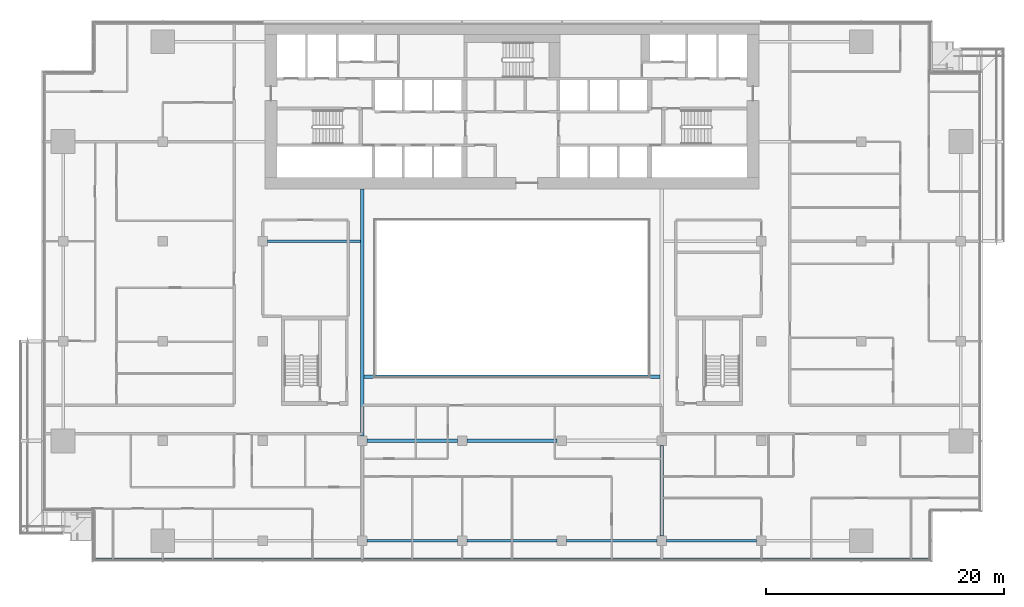
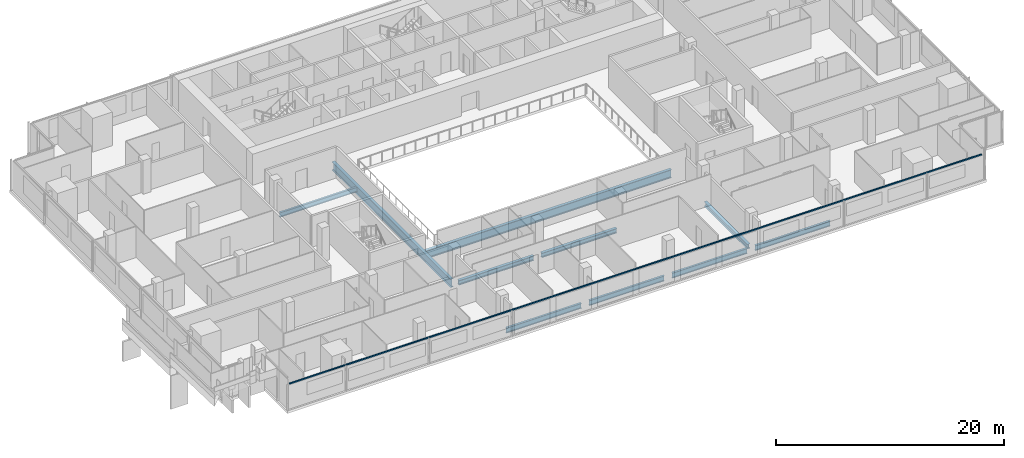
# One storey, part 5 of 27: 10 beams, 1 member, 1 element without a shape of its own.
"""IFC4 building model written with IfcOpenShell, lengths in metres."""

from ifc_helpers import new_model, si_unit, direction, frame, origin, origin_2d, place, context, subcontext, project, spatial, rectangle, i_section, extrude, material, material_profile, profile_set, type_object, element, aggregate, save


model = new_model("IFC4")

# Units and contexts
model_context = context("Model", 3, precision=1e-05, world=origin(), true_north=direction((0.0, 1.0)))
body_context = subcontext(model_context, "Body", "Model", "MODEL_VIEW")
ifc_project = project(units=[si_unit("LENGTHUNIT", "METRE"), si_unit("AREAUNIT", "SQUARE_METRE"), si_unit("VOLUMEUNIT", "CUBIC_METRE"), si_unit("PLANEANGLEUNIT", "RADIAN"), si_unit("MASSUNIT", "GRAM", prefix="KILO")], contexts=[model_context])

# Site, building, storey
site_placement = place(None, origin())
site = spatial("IfcSite", under=ifc_project, at=site_placement, CompositionType="ELEMENT")
building_placement = place(site_placement, origin())
building = spatial("IfcBuilding", under=site, at=building_placement, Name="Saffron Gate Tower", CompositionType="ELEMENT")
storey_placement = place(building_placement, frame((0.0, 0.0, 134.85009765625)))
storey = spatial("IfcBuildingStorey", under=building, at=storey_placement, Name="L32", CompositionType="ELEMENT", Elevation=134.85009765625)

# Beams
ifc_material_1 = material(Name="Structural steel S355", Category="steel")
ifc_material_profile_1 = material_profile(ifc_material_1, i_section(OverallWidth=0.199951171875, OverallDepth=0.5, WebThickness=0.01025390625, FlangeThickness=0.01611328125, FilletRadius=0.02099609375, at=origin_2d()))
ifc_profile_set_1 = profile_set([ifc_material_profile_1], Name="Structural steel S355")
beam_type_1 = type_object("IfcBeamType", Name="B10 IPE 500", PredefinedType="BEAM", material=ifc_profile_set_1)
beam_1_placement = place(storey_placement, frame((67.0, 57.0, -0.530029296875), z_axis=(1.0, 0.0, 0.0), x_axis=(0.0, 1.0, 0.0)))
element("IfcBeam", 1, at=beam_1_placement, inside=storey, type_object=beam_type_1, Name="B10 CORE TIE BEAM", PredefinedType="BEAM", context=body_context, shape_type="SweptSolid", body=[
    extrude(i_section(OverallWidth=0.199951171875, OverallDepth=0.5, WebThickness=0.01025390625, FlangeThickness=0.01611328125, FilletRadius=0.02099609375, at=origin_2d()), origin(), (0.0, 0.0, 1.0), 7.85009765625),
])
ifc_material_profile_2 = material_profile(ifc_material_1, i_section(OverallWidth=0.2099609375, OverallDepth=0.550048828125, WebThickness=0.010986328125, FlangeThickness=0.01708984375, FilletRadius=0.02392578125, at=origin_2d()))
ifc_profile_set_2 = profile_set([ifc_material_profile_2], Name="Structural steel S355")
beam_type_2 = type_object("IfcBeamType", Name="B13 IPE 550", PredefinedType="SPANDREL", material=ifc_profile_set_2)
beam_2_placement = place(storey_placement, frame((75.39990234375, 31.800048828125, -0.55517578125), z_axis=(1.0, 0.0, 0.0), x_axis=(0.0, 1.0, 0.0)))
element("IfcBeam", 2, at=beam_2_placement, inside=storey, type_object=beam_type_2, Name="B13 SPANDREL BEAM", PredefinedType="SPANDREL", context=body_context, shape_type="SweptSolid", body=[
    extrude(i_section(OverallWidth=0.2099609375, OverallDepth=0.550048828125, WebThickness=0.010986328125, FlangeThickness=0.01708984375, FilletRadius=0.02392578125, at=origin_2d()), origin(), (0.0, 0.0, 1.0), 7.60009765625),
])
beam_3_placement = place(storey_placement, frame((83.800048828125, 31.800048828125, -0.55517578125), z_axis=(1.0, 0.0, 0.0), x_axis=(0.0, 1.0, 0.0)))
element("IfcBeam", 3, at=beam_3_placement, inside=storey, type_object=beam_type_2, Name="B13 SPANDREL BEAM", PredefinedType="SPANDREL", context=body_context, shape_type="SweptSolid", body=[
    extrude(i_section(OverallWidth=0.2099609375, OverallDepth=0.550048828125, WebThickness=0.010986328125, FlangeThickness=0.01708984375, FilletRadius=0.02392578125, at=origin_2d()), origin(), (0.0, 0.0, 1.0), 7.599853515625),
])
beam_4_placement = place(storey_placement, frame((92.199951171875, 31.800048828125, -0.55517578125), z_axis=(1.0, 0.0, 0.0), x_axis=(0.0, 1.0, 0.0)))
element("IfcBeam", 4, at=beam_4_placement, inside=storey, type_object=beam_type_2, Name="B13 SPANDREL BEAM", PredefinedType="SPANDREL", context=body_context, shape_type="SweptSolid", body=[
    extrude(i_section(OverallWidth=0.2099609375, OverallDepth=0.550048828125, WebThickness=0.010986328125, FlangeThickness=0.01708984375, FilletRadius=0.02392578125, at=origin_2d()), origin(), (0.0, 0.0, 1.0), 7.60009765625),
])
beam_5_placement = place(storey_placement, frame((100.60009765625, 31.800048828125, -0.55517578125), z_axis=(1.0, 0.0, 0.0), x_axis=(0.0, 1.0, 0.0)))
element("IfcBeam", 5, at=beam_5_placement, inside=storey, type_object=beam_type_2, Name="B13 SPANDREL BEAM", PredefinedType="SPANDREL", context=body_context, shape_type="SweptSolid", body=[
    extrude(i_section(OverallWidth=0.2099609375, OverallDepth=0.550048828125, WebThickness=0.010986328125, FlangeThickness=0.01708984375, FilletRadius=0.02392578125, at=origin_2d()), origin(), (0.0, 0.0, 1.0), 7.599853515625),
])
ifc_material_profile_3 = material_profile(ifc_material_1, i_section(OverallWidth=0.300048828125, OverallDepth=0.889892578125, WebThickness=0.01611328125, FlangeThickness=0.030029296875, FilletRadius=0.030029296875, at=origin_2d()))
ifc_profile_set_3 = profile_set([ifc_material_profile_3], Name="Structural steel S355")
beam_type_3 = type_object("IfcBeamType", Name="B19 HEA 900", PredefinedType="BEAM", material=ifc_profile_set_3)
beam_6_placement = place(storey_placement, frame((75.0, 40.60009765625, -0.72509765625), z_axis=(0.0, 1.0, 0.0), x_axis=(-1.0, 0.0, 0.0)))
element("IfcBeam", 6, at=beam_6_placement, inside=storey, type_object=beam_type_3, Name="B19 ATRIUM GIRDER", PredefinedType="BEAM", context=body_context, shape_type="SweptSolid", body=[
    extrude(i_section(OverallWidth=0.300048828125, OverallDepth=0.889892578125, WebThickness=0.01611328125, FlangeThickness=0.030029296875, FilletRadius=0.030029296875, at=origin_2d()), origin(), (0.0, 0.0, 1.0), 20.7998046875),
])
beam_7_placement = place(storey_placement, frame((75.14990234375, 45.60009765625, -0.72509765625), z_axis=(1.0, 0.0, 0.0), x_axis=(0.0, 1.0, 0.0)))
element("IfcBeam", 7, at=beam_7_placement, inside=storey, type_object=beam_type_3, Name="B19 ATRIUM GIRDER", PredefinedType="BEAM", context=body_context, shape_type="SweptSolid", body=[
    extrude(i_section(OverallWidth=0.300048828125, OverallDepth=0.889892578125, WebThickness=0.01611328125, FlangeThickness=0.030029296875, FilletRadius=0.030029296875, at=origin_2d()), origin(), (0.0, 0.0, 1.0), 24.900146484375),
])
ifc_material_profile_4 = material_profile(ifc_material_1, i_section(OverallWidth=0.300048828125, OverallDepth=0.489990234375, WebThickness=0.011962890625, FlangeThickness=0.02294921875, FilletRadius=0.027099609375, at=origin_2d()))
ifc_profile_set_4 = profile_set([ifc_material_profile_4], Name="Structural steel S355")
beam_type_4 = type_object("IfcBeamType", Name="B8 HEA 500", PredefinedType="BEAM", material=ifc_profile_set_4)
for number, where, z_axis, x_axis, name in (
    (8, (100.199951171875, 32.199951171875, -0.525146484375), (0.0, 1.0, 0.0), (-1.0, 0.0, 0.0), "B8 FLOOR GIRDER"),
    (9, (75.39990234375, 40.199951171875, -0.525146484375), (1.0, 0.0, 0.0), (0.0, 1.0, 0.0), "B8 FLOOR GIRDER"),
):
    element("IfcBeam", number, at=place(storey_placement, frame(where, z_axis=z_axis, x_axis=x_axis)), inside=storey, type_object=beam_type_4, Name=name, PredefinedType="BEAM", context=body_context, shape_type="SweptSolid", body=[
        extrude(i_section(OverallWidth=0.300048828125, OverallDepth=0.489990234375, WebThickness=0.011962890625, FlangeThickness=0.02294921875, FilletRadius=0.027099609375, at=origin_2d()), origin(), (0.0, 0.0, 1.0), 7.60009765625),
    ])
beam_8_placement = place(storey_placement, frame((83.800048828125, 40.199951171875, -0.525146484375), z_axis=(1.0, 0.0, 0.0), x_axis=(0.0, 1.0, 0.0)))
element("IfcBeam", 10, at=beam_8_placement, inside=storey, type_object=beam_type_4, Name="B8 FLOOR GIRDER", PredefinedType="BEAM", context=body_context, shape_type="SweptSolid", body=[
    extrude(i_section(OverallWidth=0.300048828125, OverallDepth=0.489990234375, WebThickness=0.011962890625, FlangeThickness=0.02294921875, FilletRadius=0.027099609375, at=origin_2d()), origin(), (0.0, 0.0, 1.0), 7.599853515625),
])

# Curtain wall, member
ifc_material_2 = material(Name="Aluminium, bronze anodised", Category="aluminium")
curtain_wall_type = type_object("IfcCurtainWallType", Name="CWS1 curtain wall front facade", PredefinedType="NOTDEFINED", material=ifc_material_2)
curtain_wall_placement = place(storey_placement, origin())
curtain_wall = element("IfcCurtainWall", 11, at=curtain_wall_placement, inside=storey, type_object=curtain_wall_type, Name="CWS1 run 1", PredefinedType="NOTDEFINED")
ifc_material_profile_5 = material_profile(ifc_material_2, rectangle(XDim=0.1201171875, YDim=0.1201171875, at=origin_2d()))
ifc_profile_set_5 = profile_set([ifc_material_profile_5], Name="Aluminium, bronze anodised")
member_type = type_object("IfcMemberType", Name="CWS1 head transom", PredefinedType="USERDEFINED", material=ifc_profile_set_5)
member_placement = place(storey_placement, frame((52.568115234375, 30.248046875, 2.659912109375), z_axis=(1.0, 0.0, 0.0), x_axis=(0.0, 1.0, 0.0)))
member = element("IfcMember", 12, at=member_placement, type_object=member_type, Name="CWS1 head transom", ObjectType="TRANSOM", PredefinedType="USERDEFINED", context=body_context, shape_type="SweptSolid", body=[
    extrude(rectangle(XDim=0.1201171875, YDim=0.1201171875, at=origin_2d()), origin(), (0.0, 0.0, 1.0), 70.06396484375),
])
aggregate(curtain_wall, [member])

save(model, "model.ifc")
